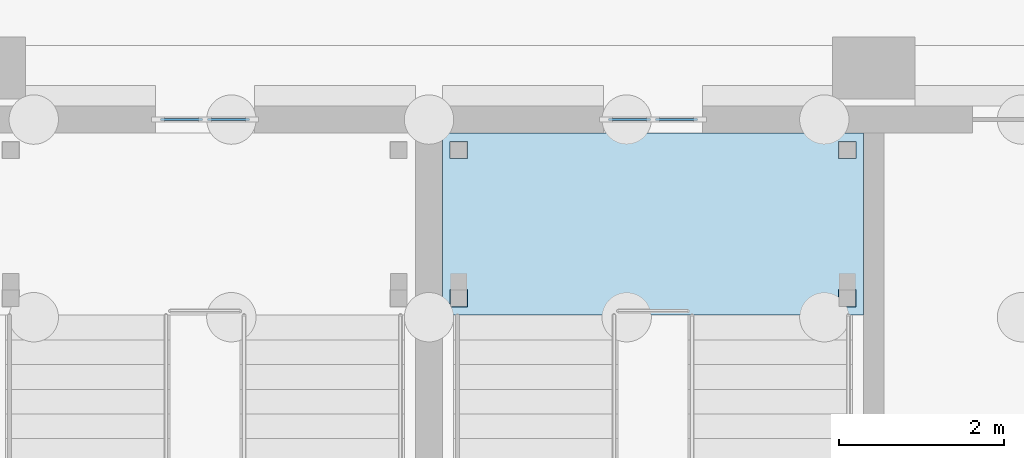
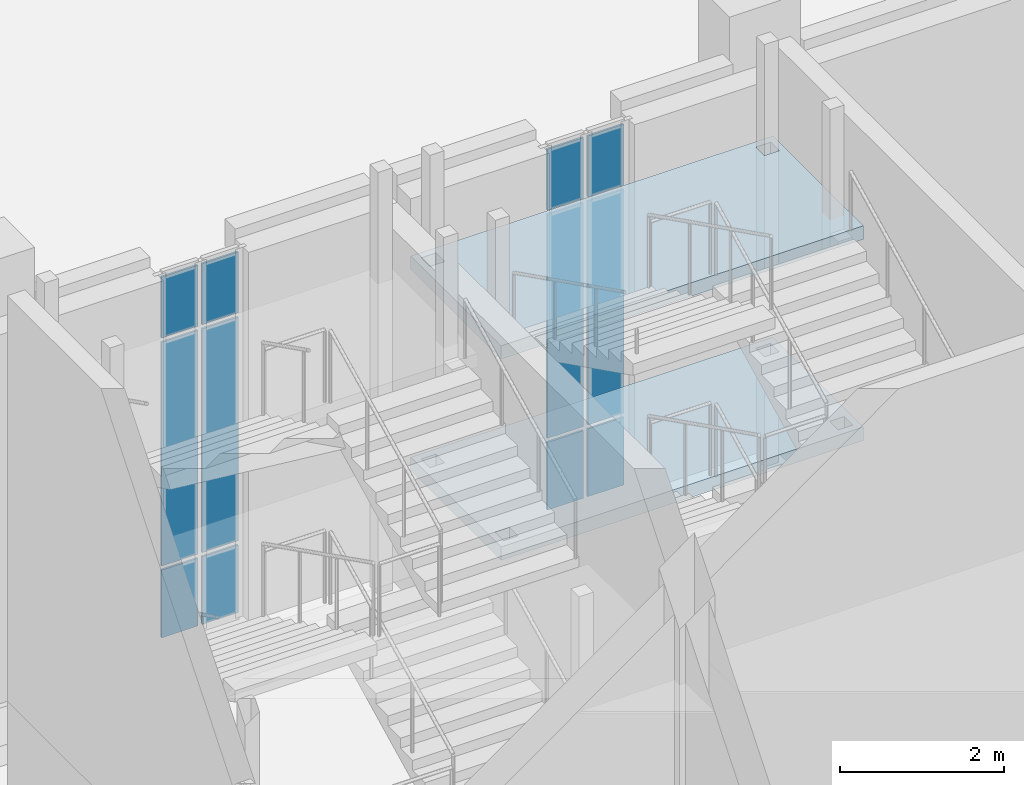
# One storey, part 24 of 84: 12 plates, 2 slabs, 3 elements without a shape of their own.
"""IFC4 building model written with IfcOpenShell, lengths in metres."""

from ifc_helpers import new_model, si_unit, direction, frame, origin, origin_2d, place, context, subcontext, project, spatial, polyline, rectangle, outline, extrude, material, layer, layer_set, type_object, element, aggregate, save


model = new_model("IFC4")

# Units and contexts
model_context = context("Model", 3, precision=1e-05, world=origin(), true_north=direction((0.0, 1.0)))
body_context = subcontext(model_context, "Body", "Model", "MODEL_VIEW")
ifc_project = project(units=[si_unit("LENGTHUNIT", "METRE"), si_unit("AREAUNIT", "SQUARE_METRE"), si_unit("VOLUMEUNIT", "CUBIC_METRE"), si_unit("PLANEANGLEUNIT", "RADIAN"), si_unit("MASSUNIT", "GRAM", prefix="KILO")], contexts=[model_context])

# Site, building, storey
site_placement = place(None, origin())
site = spatial("IfcSite", under=ifc_project, at=site_placement, CompositionType="ELEMENT")
building_placement = place(site_placement, origin())
building = spatial("IfcBuilding", under=site, at=building_placement, Name="Mazhai Court Health Centre", CompositionType="ELEMENT")
storey_placement = place(building_placement, origin())
storey = spatial("IfcBuildingStorey", under=building, at=storey_placement, Name="L00", CompositionType="ELEMENT", Elevation=0.0)

# Curtain wall, plates
ifc_material_1 = material(Name="Teak timber frame, glazed", Category="wood")
ifc_layer_1 = layer(ifc_material_1, 0.10009765625)
ifc_layer_set_1 = layer_set([ifc_layer_1], Name="CURTAIN WALL TIMBER 600")
curtain_wall_type = type_object("IfcCurtainWallType", Name="CURTAIN WALL TIMBER 600", PredefinedType="NOTDEFINED", material=ifc_layer_set_1)
curtain_wall_1_placement = place(storey_placement, origin())
curtain_wall_1 = element("IfcCurtainWall", 1, at=curtain_wall_1_placement, inside=storey, type_object=curtain_wall_type, Name="CW-V2-L00-ESTAIR0", PredefinedType="NOTDEFINED")
ifc_material_2 = material(Name="Glass IGU 28 mm", Category="glass")
ifc_layer_2 = layer(ifc_material_2, 0.028076171875)
ifc_layer_set_2 = layer_set([ifc_layer_2], Name="CW PANEL IGU 28")
plate_type = type_object("IfcPlateType", Name="CW PANEL IGU 28", PredefinedType="CURTAIN_PANEL", material=ifc_layer_set_2)
plate_1_placement = place(storey_placement, frame((17.594970703125, 42.199951171875, 0.06005859375), z_axis=(0.0, 0.0, 1.0), x_axis=(1.0, 0.0, 0.0)))
plate_1 = element("IfcPlate", 2, at=plate_1_placement, type_object=plate_type, Name="CW panel 1.1", PredefinedType="CURTAIN_PANEL", context=body_context, shape_type="SweptSolid", body=[
    extrude(rectangle(XDim=0.510009765625, YDim=0.028076171875, at=origin_2d()), origin(), (0.0, 0.0, 1.0), 1.010009765625),
])
plate_2_placement = place(storey_placement, frame((17.594970703125, 42.199951171875, 1.1298828125), z_axis=(0.0, 0.0, 1.0), x_axis=(1.0, 0.0, 0.0)))
plate_2 = element("IfcPlate", 3, at=plate_2_placement, type_object=plate_type, Name="CW panel 1.2", PredefinedType="CURTAIN_PANEL", context=body_context, shape_type="SweptSolid", body=[
    extrude(rectangle(XDim=0.510009765625, YDim=0.028076171875, at=origin_2d()), origin(), (0.0, 0.0, 1.0), 3.340087890625),
])
plate_3_placement = place(storey_placement, frame((17.594970703125, 42.199951171875, 4.5302734375), z_axis=(0.0, 0.0, 1.0), x_axis=(1.0, 0.0, 0.0)))
plate_3 = element("IfcPlate", 4, at=plate_3_placement, type_object=plate_type, Name="CW panel 1.3", PredefinedType="CURTAIN_PANEL", context=body_context, shape_type="SweptSolid", body=[
    extrude(rectangle(XDim=0.510009765625, YDim=0.028076171875, at=origin_2d()), origin(), (0.0, 0.0, 1.0), 0.909912109375),
])
plate_4_placement = place(storey_placement, frame((18.1650390625, 42.199951171875, 0.06005859375), z_axis=(0.0, 0.0, 1.0), x_axis=(1.0, 0.0, 0.0)))
plate_4 = element("IfcPlate", 5, at=plate_4_placement, type_object=plate_type, Name="CW panel 2.1", PredefinedType="CURTAIN_PANEL", context=body_context, shape_type="SweptSolid", body=[
    extrude(rectangle(XDim=0.510009765625, YDim=0.028076171875, at=origin_2d()), origin(), (0.0, 0.0, 1.0), 1.010009765625),
])
plate_5_placement = place(storey_placement, frame((18.1650390625, 42.199951171875, 1.1298828125), z_axis=(0.0, 0.0, 1.0), x_axis=(1.0, 0.0, 0.0)))
plate_5 = element("IfcPlate", 6, at=plate_5_placement, type_object=plate_type, Name="CW panel 2.2", PredefinedType="CURTAIN_PANEL", context=body_context, shape_type="SweptSolid", body=[
    extrude(rectangle(XDim=0.510009765625, YDim=0.028076171875, at=origin_2d()), origin(), (0.0, 0.0, 1.0), 3.340087890625),
])
plate_6_placement = place(storey_placement, frame((18.1650390625, 42.199951171875, 4.5302734375), z_axis=(0.0, 0.0, 1.0), x_axis=(1.0, 0.0, 0.0)))
plate_6 = element("IfcPlate", 7, at=plate_6_placement, type_object=plate_type, Name="CW panel 2.3", PredefinedType="CURTAIN_PANEL", context=body_context, shape_type="SweptSolid", body=[
    extrude(rectangle(XDim=0.510009765625, YDim=0.028076171875, at=origin_2d()), origin(), (0.0, 0.0, 1.0), 0.909912109375),
])
aggregate(curtain_wall_1, [plate_1, plate_2, plate_3, plate_4, plate_5, plate_6])

curtain_wall_2_placement = place(storey_placement, origin())
curtain_wall_2 = element("IfcCurtainWall", 8, at=curtain_wall_2_placement, inside=storey, type_object=curtain_wall_type, Name="CW-V5-L00-ESTAIR0", PredefinedType="NOTDEFINED")
plate_7_placement = place(storey_placement, frame((23.034912109375, 42.199951171875, 0.06005859375), z_axis=(0.0, 0.0, 1.0), x_axis=(1.0, 0.0, 0.0)))
plate_7 = element("IfcPlate", 9, at=plate_7_placement, type_object=plate_type, Name="CW panel 1.1", PredefinedType="CURTAIN_PANEL", context=body_context, shape_type="SweptSolid", body=[
    extrude(rectangle(XDim=0.510009765625, YDim=0.028076171875, at=origin_2d()), origin(), (0.0, 0.0, 1.0), 1.010009765625),
])
plate_8_placement = place(storey_placement, frame((23.034912109375, 42.199951171875, 1.1298828125), z_axis=(0.0, 0.0, 1.0), x_axis=(1.0, 0.0, 0.0)))
plate_8 = element("IfcPlate", 10, at=plate_8_placement, type_object=plate_type, Name="CW panel 1.2", PredefinedType="CURTAIN_PANEL", context=body_context, shape_type="SweptSolid", body=[
    extrude(rectangle(XDim=0.510009765625, YDim=0.028076171875, at=origin_2d()), origin(), (0.0, 0.0, 1.0), 3.340087890625),
])
plate_9_placement = place(storey_placement, frame((23.034912109375, 42.199951171875, 4.5302734375), z_axis=(0.0, 0.0, 1.0), x_axis=(1.0, 0.0, 0.0)))
plate_9 = element("IfcPlate", 11, at=plate_9_placement, type_object=plate_type, Name="CW panel 1.3", PredefinedType="CURTAIN_PANEL", context=body_context, shape_type="SweptSolid", body=[
    extrude(rectangle(XDim=0.510009765625, YDim=0.028076171875, at=origin_2d()), origin(), (0.0, 0.0, 1.0), 0.909912109375),
])
plate_10_placement = place(storey_placement, frame((23.60498046875, 42.199951171875, 0.06005859375), z_axis=(0.0, 0.0, 1.0), x_axis=(1.0, 0.0, 0.0)))
plate_10 = element("IfcPlate", 12, at=plate_10_placement, type_object=plate_type, Name="CW panel 2.1", PredefinedType="CURTAIN_PANEL", context=body_context, shape_type="SweptSolid", body=[
    extrude(rectangle(XDim=0.510009765625, YDim=0.028076171875, at=origin_2d()), origin(), (0.0, 0.0, 1.0), 1.010009765625),
])
plate_11_placement = place(storey_placement, frame((23.60498046875, 42.199951171875, 1.1298828125), z_axis=(0.0, 0.0, 1.0), x_axis=(1.0, 0.0, 0.0)))
plate_11 = element("IfcPlate", 13, at=plate_11_placement, type_object=plate_type, Name="CW panel 2.2", PredefinedType="CURTAIN_PANEL", context=body_context, shape_type="SweptSolid", body=[
    extrude(rectangle(XDim=0.510009765625, YDim=0.028076171875, at=origin_2d()), origin(), (0.0, 0.0, 1.0), 3.340087890625),
])
plate_12_placement = place(storey_placement, frame((23.60498046875, 42.199951171875, 4.5302734375), z_axis=(0.0, 0.0, 1.0), x_axis=(1.0, 0.0, 0.0)))
plate_12 = element("IfcPlate", 14, at=plate_12_placement, type_object=plate_type, Name="CW panel 2.3", PredefinedType="CURTAIN_PANEL", context=body_context, shape_type="SweptSolid", body=[
    extrude(rectangle(XDim=0.510009765625, YDim=0.028076171875, at=origin_2d()), origin(), (0.0, 0.0, 1.0), 0.909912109375),
])
aggregate(curtain_wall_2, [plate_7, plate_8, plate_9, plate_10, plate_11, plate_12])

# Stair, slabs
ifc_material_3 = material(Name="Concrete M40", Category="concrete")
stair_type = type_object("IfcStairType", Name="RC STAIR 2000 42R", PredefinedType="DOUBLE_RETURN_STAIR", material=ifc_material_3)
stair_placement = place(storey_placement, origin())
stair = element("IfcStair", 15, at=stair_placement, inside=storey, type_object=stair_type, Name="L00 Stair 5", PredefinedType="DOUBLE_RETURN_STAIR")
ifc_material_4 = material(Name="Concrete M40", Category="concrete")
ifc_layer_3 = layer(ifc_material_4, 0.199951171875)
ifc_layer_set_3 = layer_set([ifc_layer_3], Name="RC STAIR LANDING 200 M40")
slab_type = type_object("IfcSlabType", Name="RC STAIR LANDING 200 M40", PredefinedType="LANDING", material=ifc_layer_set_3)
slab_1_placement = place(storey_placement, frame((0.0, 0.0, 1.449951171875)))
slab_1 = element("IfcSlab", 16, at=slab_1_placement, type_object=slab_type, Name="ST5 landing 1", PredefinedType="LANDING", context=body_context, shape_type="SweptSolid", body=[
    extrude(outline(polyline([(25.875, 39.824951171875), (25.875, 42.034912109375), (20.764892578125, 42.034912109375), (20.764892578125, 39.824951171875), (25.875, 39.824951171875)]), holes=[polyline([(20.85498046875, 39.925048828125), (21.06494140625, 39.925048828125), (21.06494140625, 40.135009765625), (20.85498046875, 40.135009765625), (20.85498046875, 39.925048828125)]), polyline([(20.85498046875, 41.72509765625), (21.06494140625, 41.72509765625), (21.06494140625, 41.93505859375), (20.85498046875, 41.93505859375), (20.85498046875, 41.72509765625)]), polyline([(25.574951171875, 39.925048828125), (25.784912109375, 39.925048828125), (25.784912109375, 40.135009765625), (25.574951171875, 40.135009765625), (25.574951171875, 39.925048828125)]), polyline([(25.574951171875, 41.72509765625), (25.784912109375, 41.72509765625), (25.784912109375, 41.93505859375), (25.574951171875, 41.93505859375), (25.574951171875, 41.72509765625)])]), origin(), (0.0, 0.0, 1.0), 0.199951171875),
])
slab_2_placement = place(storey_placement, frame((0.0, 0.0, 4.449951171875)))
slab_2 = element("IfcSlab", 17, at=slab_2_placement, type_object=slab_type, Name="ST5 landing 3", PredefinedType="LANDING", context=body_context, shape_type="SweptSolid", body=[
    extrude(outline(polyline([(25.875, 39.824951171875), (25.875, 42.034912109375), (20.764892578125, 42.034912109375), (20.764892578125, 39.824951171875), (25.875, 39.824951171875)]), holes=[polyline([(20.85498046875, 41.72509765625), (21.06494140625, 41.72509765625), (21.06494140625, 41.93505859375), (20.85498046875, 41.93505859375), (20.85498046875, 41.72509765625)]), polyline([(25.574951171875, 41.72509765625), (25.784912109375, 41.72509765625), (25.784912109375, 41.93505859375), (25.574951171875, 41.93505859375), (25.574951171875, 41.72509765625)])]), origin(), (0.0, 0.0, 1.0), 0.199951171875),
])
aggregate(stair, [slab_1, slab_2])

save(model, "model.ifc")
